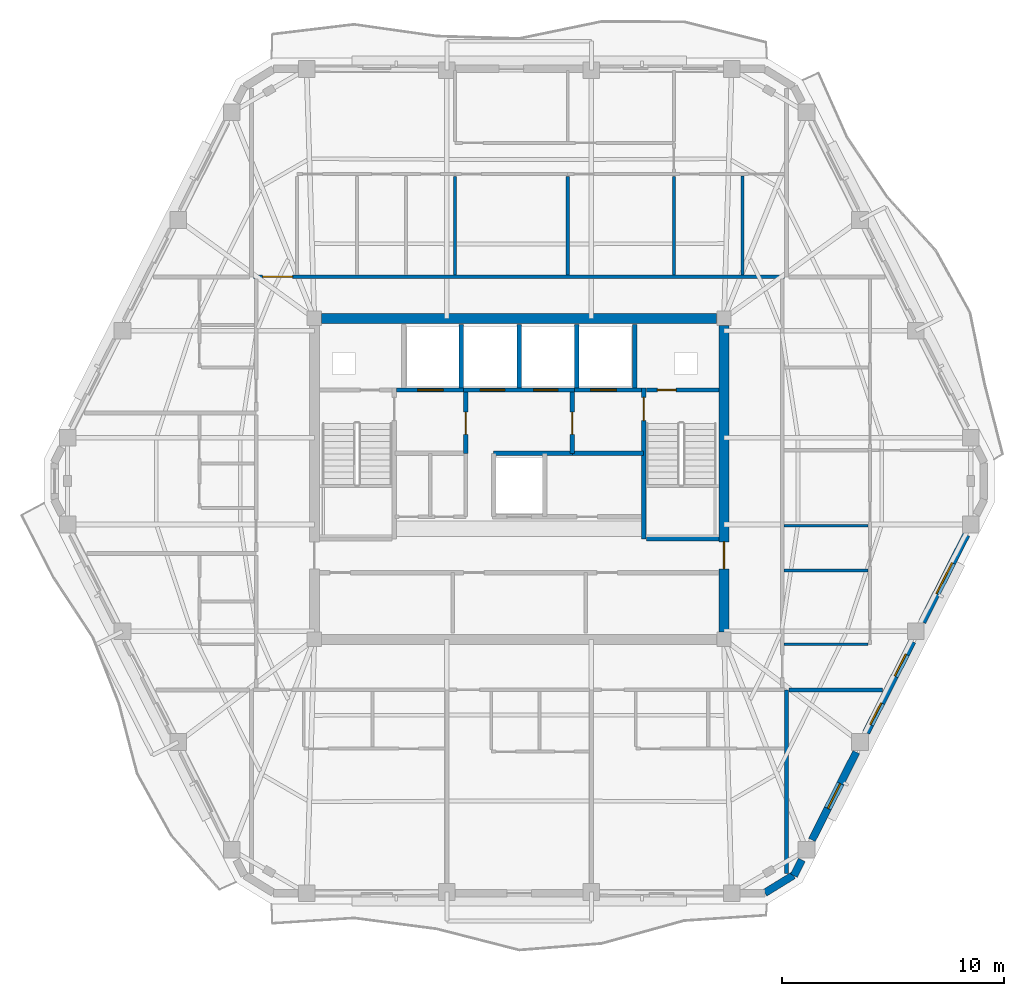
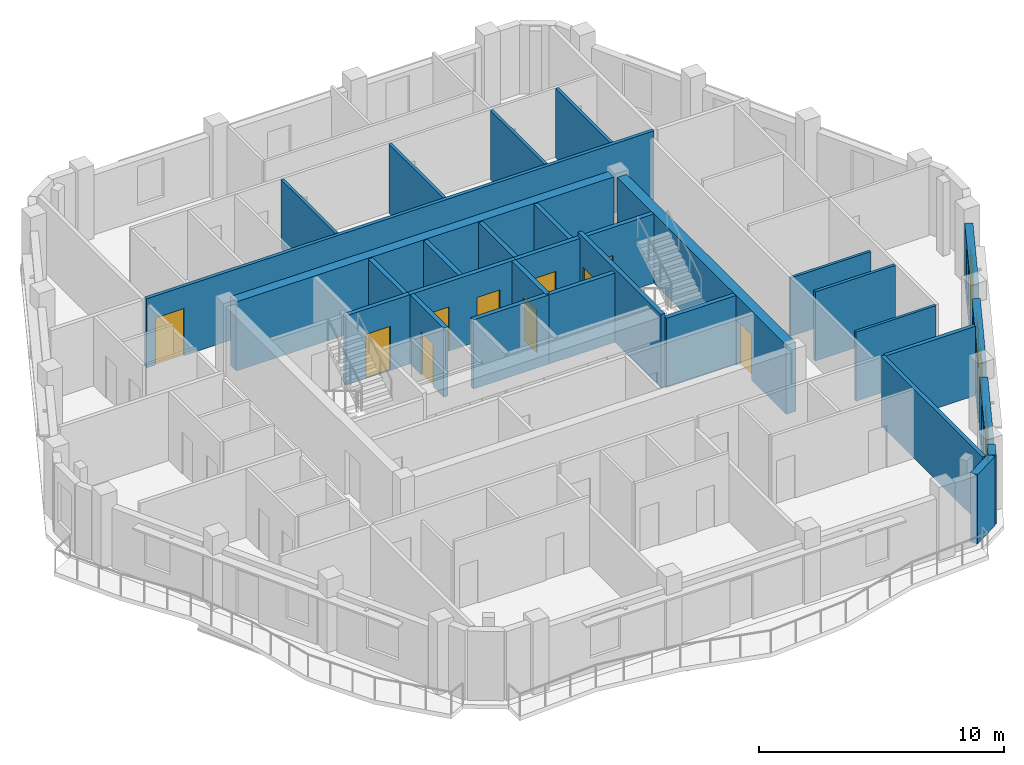
# One storey, part 6 of 11: 31 walls, 10 doors, 4 windows, 14 openings.
"""IFC4 building model written with IfcOpenShell, lengths in metres."""

from ifc_helpers import new_model, si_unit, direction, frame, frame_2d, origin, place, context, subcontext, project, spatial, rectangle, extrude, material, layer, layer_set, type_object, element, fill, save


model = new_model("IFC4")

# Units and contexts
model_context = context("Model", 3, precision=1e-05, world=origin(), true_north=direction((0.0, 1.0)))
body_context = subcontext(model_context, "Body", "Model", "MODEL_VIEW")
ifc_project = project(units=[si_unit("LENGTHUNIT", "METRE"), si_unit("AREAUNIT", "SQUARE_METRE"), si_unit("VOLUMEUNIT", "CUBIC_METRE"), si_unit("PLANEANGLEUNIT", "RADIAN"), si_unit("MASSUNIT", "GRAM", prefix="KILO")], contexts=[model_context])

# Site, building, storey
site_placement = place(None, origin())
site = spatial("IfcSite", under=ifc_project, at=site_placement, CompositionType="ELEMENT")
building_placement = place(site_placement, origin())
building = spatial("IfcBuilding", under=site, at=building_placement, Name="Cinnabar Lancet Tower", CompositionType="ELEMENT")
storey_placement = place(building_placement, frame((0.0, 0.0, 241.60009765625)))
storey = spatial("IfcBuildingStorey", under=building, at=storey_placement, Name="L64", CompositionType="ELEMENT", Elevation=241.60009765625)

# Wall, opening, door
ifc_material_1 = material(Name="Acoustic twin-stud gypsum partition", Category="gypsum")
ifc_layer_1 = layer(ifc_material_1, 0.159912109375)
ifc_layer_set_1 = layer_set([ifc_layer_1], Name="Acoustic twin-stud gypsum partition")
wall_type_1 = type_object("IfcWallType", Name="ARC-WL-CORR-160", PredefinedType="PARTITIONING", material=ifc_layer_set_1)
wall_1_placement = place(storey_placement, frame((20.445068359375, 35.0, 0.0), z_axis=(0.0, 0.0, 1.0), x_axis=(1.0, 0.0, 0.0)))
wall_1 = element("IfcWall", 1, at=wall_1_placement, inside=storey, type_object=wall_type_1, Name="L64 Unit N01 Corridor Wall", PredefinedType="PARTITIONING", context=body_context, shape_type="SweptSolid", body=[
    extrude(rectangle(XDim=23.909912109375, YDim=0.159912109375, at=frame_2d((11.955078125, 0.0))), origin(), (0.0, 0.0, 1.0), 3.449951171875),
])
opening_1_placement = place(wall_1_placement, frame((0.405029296875, 0.0, 0.0)))
opening_1 = element("IfcOpeningElement", 2, at=opening_1_placement, cuts=wall_1, Name="Opening UD-02", PredefinedType="OPENING", context=body_context, shape_type="SweptSolid", body=[
    extrude(rectangle(XDim=1.35009765625, YDim=2.35009765625, at=frame_2d((0.675048828125, 1.175048828125))), frame((0.0, 0.08984375, 0.0), z_axis=(0.0, -1.0, 0.0), x_axis=(1.0, 0.0, 0.0)), (0.0, 0.0, 1.0), 0.179931640625),
])
ifc_material_2 = material(Name="Double-leaf solid timber penthouse entrance door", Category="wood")
door_type_1 = type_object("IfcDoorType", Name="ARC-DR-UNIT-PH", OperationType="NOTDEFINED", PredefinedType="DOOR", material=ifc_material_2)
door_1_placement = place(opening_1_placement, origin())
door_1 = element("IfcDoor", 3, at=door_1_placement, inside=storey, type_object=door_type_1, Name="DR-L64-N01-ENT", OperationType="SINGLE_SWING_LEFT", OverallHeight=2.35009765625, OverallWidth=1.35009765625, PredefinedType="DOOR", context=body_context, shape_type="SweptSolid", body=[
    extrude(rectangle(XDim=1.35009765625, YDim=2.35009765625, at=frame_2d((0.675048828125, 1.175048828125))), frame((0.0, 0.02490234375, 0.0), z_axis=(0.0, -1.0, 0.0), x_axis=(1.0, 0.0, 0.0)), (0.0, 0.0, 1.0), 0.050048828125),
])
fill(opening_1, door_1)

# Walls
ifc_material_3 = material(Name="Fire-rated twin-frame acoustic drywall", Category="gypsum")
ifc_layer_2 = layer(ifc_material_3, 0.179931640625)
ifc_layer_set_2 = layer_set([ifc_layer_2], Name="Fire-rated twin-frame acoustic drywall")
wall_type_2 = type_object("IfcWallType", Name="ARC-WL-PARTY-180", PredefinedType="PARTITIONING", material=ifc_layer_set_2)
wall_2_placement = place(storey_placement, frame((44.449951171875, 8.118896484375, 0.0), z_axis=(0.0, 0.0, 1.0), x_axis=(0.0, 1.0, 0.0)))
element("IfcWall", 4, at=wall_2_placement, inside=storey, type_object=wall_type_2, Name="PW-L64-SPTY-444", PredefinedType="PARTITIONING", context=body_context, shape_type="SweptSolid", body=[
    extrude(rectangle(XDim=8.281005859375, YDim=0.179931640625, at=frame_2d((4.140625, 0.0))), origin(), (0.0, 0.0, 1.0), 3.449951171875),
])
wall_3_placement = place(storey_placement, frame((44.544921875, 16.39990234375, 0.0), z_axis=(0.0, 0.0, 1.0), x_axis=(1.0, 0.0, 0.0)))
element("IfcWall", 5, at=wall_3_placement, inside=storey, type_object=wall_type_2, Name="PW-L64-ESB", PredefinedType="PARTITIONING", context=body_context, shape_type="SweptSolid", body=[
    extrude(rectangle(XDim=4.22119140625, YDim=0.179931640625, at=frame_2d((2.110595703125, 0.0))), origin(), (0.0, 0.0, 1.0), 3.449951171875),
])
ifc_material_4 = material(Name="Autoclaved aerated concrete blockwork", Category="masonry")
ifc_layer_3 = layer(ifc_material_4, 0.199951171875)
ifc_layer_set_3 = layer_set([ifc_layer_3], Name="Autoclaved aerated concrete blockwork")
wall_type_3 = type_object("IfcWallType", Name="ARC-WL-SHAFT-200", PredefinedType="PLUMBINGWALL", material=ifc_layer_set_3)
wall_4_placement = place(storey_placement, frame((38.125, 23.199951171875, 0.0), z_axis=(0.0, 0.0, 1.0), x_axis=(1.0, 0.0, 0.0)))
element("IfcWall", 6, at=wall_4_placement, inside=storey, type_object=wall_type_3, Name="CW-ST2S-L64", PredefinedType="PLUMBINGWALL", context=body_context, shape_type="SweptSolid", body=[
    extrude(rectangle(XDim=3.27001953125, YDim=0.199951171875, at=frame_2d((1.635009765625, 0.0))), origin(), (0.0, 0.0, 1.0), 3.449951171875),
])

# Wall, opening, door
wall_5_placement = place(storey_placement, frame((26.885009765625, 29.89990234375, 0.0), z_axis=(0.0, 0.0, 1.0), x_axis=(1.0, 0.0, 0.0)))
wall_5 = element("IfcWall", 7, at=wall_5_placement, inside=storey, type_object=wall_type_3, Name="CW-FL1-L64", PredefinedType="PLUMBINGWALL", context=body_context, shape_type="SweptSolid", body=[
    extrude(rectangle(XDim=3.014892578125, YDim=0.199951171875, at=frame_2d((1.50732421875, 0.0))), origin(), (0.0, 0.0, 1.0), 3.449951171875),
])
opening_2_placement = place(wall_5_placement, frame((0.93994140625, 0.0, 0.0)))
opening_2 = element("IfcOpeningElement", 8, at=opening_2_placement, cuts=wall_5, Name="Opening LD-02", PredefinedType="OPENING", context=body_context, shape_type="SweptSolid", body=[
    extrude(rectangle(XDim=1.14990234375, YDim=2.199951171875, at=frame_2d((0.574951171875, 1.10009765625))), frame((0.0, 0.10986328125, 0.0), z_axis=(0.0, -1.0, 0.0), x_axis=(1.0, 0.0, 0.0)), (0.0, 0.0, 1.0), 0.219970703125),
])
ifc_material_5 = material(Name="Fire-rated stainless steel firefighting lift landing door", Category="steel")
door_type_2 = type_object("IfcDoorType", Name="ARC-DR-LD-FIRE", OperationType="NOTDEFINED", PredefinedType="DOOR", material=ifc_material_5)
door_2_placement = place(opening_2_placement, origin())
door_2 = element("IfcDoor", 9, at=door_2_placement, inside=storey, type_object=door_type_2, Name="L64 Firefighting Lift FL-1 Landing Door", OperationType="DOUBLE_DOOR_SLIDING", OverallHeight=2.199951171875, OverallWidth=1.14990234375, PredefinedType="DOOR", context=body_context, shape_type="SweptSolid", body=[
    extrude(rectangle(XDim=1.14990234375, YDim=2.199951171875, at=frame_2d((0.574951171875, 1.10009765625))), frame((0.0, 0.02490234375, 0.0), z_axis=(0.0, -1.0, 0.0), x_axis=(1.0, 0.0, 0.0)), (0.0, 0.0, 1.0), 0.050048828125),
])
fill(opening_2, door_2)

# Wall, openings, doors
wall_6_placement = place(storey_placement, frame((29.89990234375, 29.89990234375, 0.0), z_axis=(0.0, 0.0, 1.0), x_axis=(1.0, 0.0, 0.0)))
wall_6 = element("IfcWall", 10, at=wall_6_placement, inside=storey, type_object=wall_type_3, Name="CW-PL78-L64", PredefinedType="PLUMBINGWALL", context=body_context, shape_type="SweptSolid", body=[
    extrude(rectangle(XDim=5.0, YDim=0.199951171875, at=frame_2d((2.5, 0.0))), origin(), (0.0, 0.0, 1.0), 3.449951171875),
])
opening_3_placement = place(wall_6_placement, frame((0.75, 0.0, 0.0)))
opening_3 = element("IfcOpeningElement", 11, at=opening_3_placement, cuts=wall_6, Name="Opening LD-01", PredefinedType="OPENING", context=body_context, shape_type="SweptSolid", body=[
    extrude(rectangle(XDim=1.10009765625, YDim=2.199951171875, at=frame_2d((0.550048828125, 1.10009765625))), frame((0.0, 0.10986328125, 0.0), z_axis=(0.0, -1.0, 0.0), x_axis=(1.0, 0.0, 0.0)), (0.0, 0.0, 1.0), 0.219970703125),
])
opening_4_placement = place(wall_6_placement, frame((3.14990234375, 0.0, 0.0)))
opening_4 = element("IfcOpeningElement", 12, at=opening_4_placement, cuts=wall_6, Name="Opening LD-01", PredefinedType="OPENING", context=body_context, shape_type="SweptSolid", body=[
    extrude(rectangle(XDim=1.10009765625, YDim=2.199951171875, at=frame_2d((0.550048828125, 1.10009765625))), frame((0.0, 0.10986328125, 0.0), z_axis=(0.0, -1.0, 0.0), x_axis=(1.0, 0.0, 0.0)), (0.0, 0.0, 1.0), 0.219970703125),
])
ifc_material_6 = material(Name="Brushed stainless steel sliding lift door", Category="steel")
door_type_3 = type_object("IfcDoorType", Name="ARC-DR-LD-PASS", OperationType="NOTDEFINED", PredefinedType="DOOR", material=ifc_material_6)
door_3_placement = place(opening_3_placement, origin())
door_3 = element("IfcDoor", 13, at=door_3_placement, inside=storey, type_object=door_type_3, Name="L64 Lift PL-7 Landing Door", OperationType="DOUBLE_DOOR_SLIDING", OverallHeight=2.199951171875, OverallWidth=1.10009765625, PredefinedType="DOOR", context=body_context, shape_type="SweptSolid", body=[
    extrude(rectangle(XDim=1.10009765625, YDim=2.199951171875, at=frame_2d((0.550048828125, 1.10009765625))), frame((0.0, 0.02490234375, 0.0), z_axis=(0.0, -1.0, 0.0), x_axis=(1.0, 0.0, 0.0)), (0.0, 0.0, 1.0), 0.050048828125),
])
fill(opening_3, door_3)
door_4_placement = place(opening_4_placement, origin())
door_4 = element("IfcDoor", 14, at=door_4_placement, inside=storey, type_object=door_type_3, Name="L64 Lift PL-8 Landing Door", OperationType="DOUBLE_DOOR_SLIDING", OverallHeight=2.199951171875, OverallWidth=1.10009765625, PredefinedType="DOOR", context=body_context, shape_type="SweptSolid", body=[
    extrude(rectangle(XDim=1.10009765625, YDim=2.199951171875, at=frame_2d((0.550048828125, 1.10009765625))), frame((0.0, 0.02490234375, 0.0), z_axis=(0.0, -1.0, 0.0), x_axis=(1.0, 0.0, 0.0)), (0.0, 0.0, 1.0), 0.050048828125),
])
fill(opening_4, door_4)

# Wall, opening, door
wall_7_placement = place(storey_placement, frame((34.89990234375, 29.89990234375, 0.0), z_axis=(0.0, 0.0, 1.0), x_axis=(1.0, 0.0, 0.0)))
wall_7 = element("IfcWall", 15, at=wall_7_placement, inside=storey, type_object=wall_type_3, Name="CW-FL2-L64", PredefinedType="PLUMBINGWALL", context=body_context, shape_type="SweptSolid", body=[
    extrude(rectangle(XDim=3.01513671875, YDim=0.199951171875, at=frame_2d((1.507568359375, 0.0))), origin(), (0.0, 0.0, 1.0), 3.449951171875),
])
opening_5_placement = place(wall_7_placement, frame((0.72509765625, 0.0, 0.0)))
opening_5 = element("IfcOpeningElement", 16, at=opening_5_placement, cuts=wall_7, Name="Opening LD-02", PredefinedType="OPENING", context=body_context, shape_type="SweptSolid", body=[
    extrude(rectangle(XDim=1.14990234375, YDim=2.199951171875, at=frame_2d((0.574951171875, 1.10009765625))), frame((0.0, 0.10986328125, 0.0), z_axis=(0.0, -1.0, 0.0), x_axis=(1.0, 0.0, 0.0)), (0.0, 0.0, 1.0), 0.219970703125),
])
door_5_placement = place(opening_5_placement, origin())
door_5 = element("IfcDoor", 17, at=door_5_placement, inside=storey, type_object=door_type_2, Name="L64 Firefighting Lift FL-2 Landing Door", OperationType="DOUBLE_DOOR_SLIDING", OverallHeight=2.199951171875, OverallWidth=1.14990234375, PredefinedType="DOOR", context=body_context, shape_type="SweptSolid", body=[
    extrude(rectangle(XDim=1.14990234375, YDim=2.199951171875, at=frame_2d((0.574951171875, 1.10009765625))), frame((0.0, 0.02490234375, 0.0), z_axis=(0.0, -1.0, 0.0), x_axis=(1.0, 0.0, 0.0)), (0.0, 0.0, 1.0), 0.050048828125),
])
fill(opening_5, door_5)

wall_8_placement = place(storey_placement, frame((38.125, 29.89990234375, 0.0), z_axis=(0.0, 0.0, 1.0), x_axis=(1.0, 0.0, 0.0)))
wall_8 = element("IfcWall", 18, at=wall_8_placement, inside=storey, type_object=wall_type_3, Name="CW-NSH-E-L64", PredefinedType="PLUMBINGWALL", context=body_context, shape_type="SweptSolid", body=[
    extrude(rectangle(XDim=3.27001953125, YDim=0.199951171875, at=frame_2d((1.635009765625, 0.0))), origin(), (0.0, 0.0, 1.0), 3.449951171875),
])
opening_6_placement = place(wall_8_placement, frame((0.5, 0.0, 0.0)))
opening_6 = element("IfcOpeningElement", 19, at=opening_6_placement, cuts=wall_8, Name="Opening PD-02", PredefinedType="OPENING", context=body_context, shape_type="SweptSolid", body=[
    extrude(rectangle(XDim=0.85009765625, YDim=2.050048828125, at=frame_2d((0.425048828125, 1.02490234375))), frame((0.0, 0.10986328125, 0.0), z_axis=(0.0, -1.0, 0.0), x_axis=(1.0, 0.0, 0.0)), (0.0, 0.0, 1.0), 0.219970703125),
])
ifc_material_7 = material(Name="Fire-rated steel riser access door", Category="steel")
door_type_4 = type_object("IfcDoorType", Name="ARC-DR-RISER", OperationType="NOTDEFINED", PredefinedType="DOOR", material=ifc_material_7)
door_6_placement = place(opening_6_placement, origin())
door_6 = element("IfcDoor", 20, at=door_6_placement, inside=storey, type_object=door_type_4, Name="L64 East Riser Access Door", OperationType="SINGLE_SWING_RIGHT", OverallHeight=2.050048828125, OverallWidth=0.85009765625, PredefinedType="DOOR", context=body_context, shape_type="SweptSolid", body=[
    extrude(rectangle(XDim=0.85009765625, YDim=2.050048828125, at=frame_2d((0.425048828125, 1.02490234375))), frame((0.0, 0.02490234375, 0.0), z_axis=(0.0, -1.0, 0.0), x_axis=(1.0, 0.0, 0.0)), (0.0, 0.0, 1.0), 0.050048828125),
])
fill(opening_6, door_6)

# Walls
for number, where, z_axis, x_axis, name in (
    (21, (29.800048828125, 30.0, 0.0), (0.0, 0.0, 1.0), (0.0, 1.0, 0.0), "CW-NSH-D2-L64"),
    (22, (32.39990234375, 30.0, 0.0), (0.0, 0.0, 1.0), (0.0, 1.0, 0.0), "CW-NSH-D3-L64"),
    (23, (35.0, 30.0, 0.0), (0.0, 0.0, 1.0), (0.0, 1.0, 0.0), "CW-NSH-D4-L64"),
    (24, (37.60009765625, 30.0, 0.0), (0.0, 0.0, 1.0), (0.0, 1.0, 0.0), "CW-NSH-D5-L64"),
):
    element("IfcWall", number, at=place(storey_placement, frame(where, z_axis=z_axis, x_axis=x_axis)), inside=storey, type_object=wall_type_3, Name=name, PredefinedType="PLUMBINGWALL", context=body_context, shape_type="SweptSolid", body=[
        extrude(rectangle(XDim=2.85009765625, YDim=0.199951171875, at=frame_2d((1.425048828125, 0.0))), origin(), (0.0, 0.0, 1.0), 3.449951171875),
    ])

# Wall, opening, door
wall_9_placement = place(storey_placement, frame((30.0, 27.050048828125, 0.0), z_axis=(0.0, 0.0, 1.0), x_axis=(0.0, 1.0, 0.0)))
wall_9 = element("IfcWall", 25, at=wall_9_placement, inside=storey, type_object=wall_type_3, Name="CW-FF1E-L64", PredefinedType="PLUMBINGWALL", context=body_context, shape_type="SweptSolid", body=[
    extrude(rectangle(XDim=2.75, YDim=0.199951171875, at=frame_2d((1.375, 0.0))), origin(), (0.0, 0.0, 1.0), 3.449951171875),
])
opening_7_placement = place(wall_9_placement, frame((0.85009765625, 0.0, 0.0)))
opening_7 = element("IfcOpeningElement", 26, at=opening_7_placement, cuts=wall_9, Name="Opening FD-01", PredefinedType="OPENING", context=body_context, shape_type="SweptSolid", body=[
    extrude(rectangle(XDim=1.0, YDim=2.14990234375, at=frame_2d((0.5, 1.074951171875))), frame((0.0, 0.10986328125, 0.0), z_axis=(0.0, -1.0, 0.0), x_axis=(1.0, 0.0, 0.0)), (0.0, 0.0, 1.0), 0.219970703125),
])
ifc_material_8 = material(Name="Fire-rated timber-core lobby door", Category="wood")
door_type_5 = type_object("IfcDoorType", Name="ARC-DR-FFAL", OperationType="NOTDEFINED", PredefinedType="DOOR", material=ifc_material_8)
door_7_placement = place(opening_7_placement, origin())
door_7 = element("IfcDoor", 27, at=door_7_placement, inside=storey, type_object=door_type_5, Name="L64 FFAL-1 Lobby Fire Door", OperationType="SINGLE_SWING_RIGHT", OverallHeight=2.14990234375, OverallWidth=1.0, PredefinedType="DOOR", context=body_context, shape_type="SweptSolid", body=[
    extrude(rectangle(XDim=1.0, YDim=2.14990234375, at=frame_2d((0.5, 1.074951171875))), frame((0.0, 0.02490234375, 0.0), z_axis=(0.0, -1.0, 0.0), x_axis=(1.0, 0.0, 0.0)), (0.0, 0.0, 1.0), 0.050048828125),
])
fill(opening_7, door_7)

wall_10_placement = place(storey_placement, frame((34.800048828125, 27.050048828125, 0.0), z_axis=(0.0, 0.0, 1.0), x_axis=(0.0, 1.0, 0.0)))
wall_10 = element("IfcWall", 28, at=wall_10_placement, inside=storey, type_object=wall_type_3, Name="CW-FF2W-L64", PredefinedType="PLUMBINGWALL", context=body_context, shape_type="SweptSolid", body=[
    extrude(rectangle(XDim=2.75, YDim=0.199951171875, at=frame_2d((1.375, 0.0))), origin(), (0.0, 0.0, 1.0), 3.449951171875),
])
opening_8_placement = place(wall_10_placement, frame((0.85009765625, 0.0, 0.0)))
opening_8 = element("IfcOpeningElement", 29, at=opening_8_placement, cuts=wall_10, Name="Opening FD-01", PredefinedType="OPENING", context=body_context, shape_type="SweptSolid", body=[
    extrude(rectangle(XDim=1.0, YDim=2.14990234375, at=frame_2d((0.5, 1.074951171875))), frame((0.0, 0.10986328125, 0.0), z_axis=(0.0, -1.0, 0.0), x_axis=(1.0, 0.0, 0.0)), (0.0, 0.0, 1.0), 0.219970703125),
])
door_8_placement = place(opening_8_placement, origin())
door_8 = element("IfcDoor", 30, at=door_8_placement, inside=storey, type_object=door_type_5, Name="L64 FFAL-2 Lobby Fire Door", OperationType="SINGLE_SWING_LEFT", OverallHeight=2.14990234375, OverallWidth=1.0, PredefinedType="DOOR", context=body_context, shape_type="SweptSolid", body=[
    extrude(rectangle(XDim=1.0, YDim=2.14990234375, at=frame_2d((0.5, 1.074951171875))), frame((0.0, 0.02490234375, 0.0), z_axis=(0.0, -1.0, 0.0), x_axis=(1.0, 0.0, 0.0)), (0.0, 0.0, 1.0), 0.050048828125),
])
fill(opening_8, door_8)

# Walls
wall_11_placement = place(storey_placement, frame((34.800048828125, 27.050048828125, 0.0), z_axis=(0.0, 0.0, 1.0), x_axis=(1.0, 0.0, 0.0)))
element("IfcWall", 31, at=wall_11_placement, inside=storey, type_object=wall_type_3, Name="CW-FF2S-L64", PredefinedType="PLUMBINGWALL", context=body_context, shape_type="SweptSolid", body=[
    extrude(rectangle(XDim=3.199951171875, YDim=0.199951171875, at=frame_2d((1.60009765625, 0.0))), origin(), (0.0, 0.0, 1.0), 3.449951171875),
])
wall_12_placement = place(storey_placement, frame((31.25, 27.050048828125, 0.0), z_axis=(0.0, 0.0, 1.0), x_axis=(1.0, 0.0, 0.0)))
element("IfcWall", 32, at=wall_12_placement, inside=storey, type_object=wall_type_3, Name="CW-PL96N-L64", PredefinedType="PLUMBINGWALL", context=body_context, shape_type="SweptSolid", body=[
    extrude(rectangle(XDim=3.550048828125, YDim=0.199951171875, at=frame_2d((1.77490234375, 0.0))), origin(), (0.0, 0.0, 1.0), 3.449951171875),
])
ifc_material_9 = material(Name="Gypsum plasterboard stud partition", Category="gypsum")
ifc_layer_4 = layer(ifc_material_9, 0.125)
ifc_layer_set_4 = layer_set([ifc_layer_4], Name="Gypsum plasterboard stud partition")
wall_type_4 = type_object("IfcWallType", Name="ARC-WL-UNIT-125", PredefinedType="PARTITIONING", material=ifc_layer_set_4)
wall_13_placement = place(storey_placement, frame((44.3349609375, 18.449951171875, 0.0), z_axis=(0.0, 0.0, 1.0), x_axis=(1.0, 0.0, 0.0)))
element("IfcWall", 33, at=wall_13_placement, inside=storey, type_object=wall_type_4, Name="UW-L64-E01-FOYN", PredefinedType="PARTITIONING", context=body_context, shape_type="SweptSolid", body=[
    extrude(rectangle(XDim=3.780029296875, YDim=0.125, at=frame_2d((1.89013671875, 0.0))), origin(), (0.0, 0.0, 1.0), 3.449951171875),
])
wall_14_placement = place(storey_placement, frame((44.3349609375, 23.7880859375, 0.0), z_axis=(0.0, 0.0, 1.0), x_axis=(1.0, 0.0, 0.0)))
element("IfcWall", 34, at=wall_14_placement, inside=storey, type_object=wall_type_4, Name="UW-L64-E01-UDV", PredefinedType="PARTITIONING", context=body_context, shape_type="SweptSolid", body=[
    extrude(rectangle(XDim=3.780029296875, YDim=0.125, at=frame_2d((1.89013671875, 0.0))), origin(), (0.0, 0.0, 1.0), 2.906982421875),
])
ifc_material_10 = material(Name="Moisture-resistant cement-board plumbing wall", Category="masonry")
ifc_layer_5 = layer(ifc_material_10, 0.139892578125)
ifc_layer_set_5 = layer_set([ifc_layer_5], Name="Moisture-resistant cement-board plumbing wall")
wall_type_5 = type_object("IfcWallType", Name="ARC-WL-WET-140", PredefinedType="PLUMBINGWALL", material=ifc_layer_set_5)
for number, where, z_axis, x_axis, name in (
    (35, (29.508056640625, 35.0849609375, 0.0), (0.0, 0.0, 1.0), (0.0, 1.0, 0.0), "UW-L64-N01-ENSW"),
    (36, (34.587890625, 35.0849609375, 0.0), (0.0, 0.0, 1.0), (0.0, 1.0, 0.0), "UW-L64-N01-ENSE"),
    (37, (39.3701171875, 35.0849609375, 0.0), (0.0, 0.0, 1.0), (0.0, 1.0, 0.0), "UW-L64-N01-UT3"),
):
    element("IfcWall", number, at=place(storey_placement, frame(where, z_axis=z_axis, x_axis=x_axis)), inside=storey, type_object=wall_type_5, Name=name, PredefinedType="PLUMBINGWALL", context=body_context, shape_type="SweptSolid", body=[
        extrude(rectangle(XDim=4.43896484375, YDim=0.139892578125, at=frame_2d((2.219482421875, 0.0))), origin(), (0.0, 0.0, 1.0), 3.449951171875),
    ])
wall_15_placement = place(storey_placement, frame((42.4580078125, 35.0849609375, 0.0), z_axis=(0.0, 0.0, 1.0), x_axis=(0.0, 1.0, 0.0)))
element("IfcWall", 38, at=wall_15_placement, inside=storey, type_object=wall_type_5, Name="UW-L64-N01-ENS-WDV", PredefinedType="PLUMBINGWALL", context=body_context, shape_type="SweptSolid", body=[
    extrude(rectangle(XDim=4.458984375, YDim=0.139892578125, at=frame_2d((2.2294921875, 0.0))), origin(), (0.0, 0.0, 1.0), 3.449951171875),
])
wall_16_placement = place(storey_placement, frame((44.3349609375, 21.77001953125, 0.0), z_axis=(0.0, 0.0, 1.0), x_axis=(1.0, 0.0, 0.0)))
element("IfcWall", 39, at=wall_16_placement, inside=storey, type_object=wall_type_5, Name="UW-L64-E01-KDV", PredefinedType="PLUMBINGWALL", context=body_context, shape_type="SweptSolid", body=[
    extrude(rectangle(XDim=3.780029296875, YDim=0.139892578125, at=frame_2d((1.89013671875, 0.0))), origin(), (0.0, 0.0, 1.0), 3.449951171875),
])
ifc_material_11 = material(Name="Cinnabar red clay brick", Category="masonry")
ifc_layer_6 = layer(ifc_material_11, 0.340087890625)
ifc_layer_set_6 = layer_set([ifc_layer_6], Name="Cinnabar red clay brick")
wall_type_6 = type_object("IfcWallType", Name="ENV-WL-BRK-RED-340", PredefinedType="STANDARD", material=ifc_layer_set_6)
wall_17_placement = place(storey_placement, frame((43.468994140625, 7.2548828125, 0.0), z_axis=(0.0, 0.0, 1.0), x_axis=(0.851680557619, 0.52406128246, 0.0)))
element("IfcWall", 40, at=wall_17_placement, inside=storey, type_object=wall_type_6, Name="L64 Chamfered Corner Brick Pier 2.1", PredefinedType="STANDARD", context=body_context, shape_type="SweptSolid", body=[
    extrude(rectangle(XDim=1.507568359375, YDim=0.340087890625, at=frame_2d((0.75390625, 0.0))), origin(), (0.0, 0.0, 1.0), 3.449951171875),
])
wall_18_placement = place(storey_placement, frame((44.77294921875, 8.029052734375, 0.0), z_axis=(0.0, 0.0, 1.0), x_axis=(0.451159191899, 0.892443490404, 0.0)))
element("IfcWall", 41, at=wall_18_placement, inside=storey, type_object=wall_type_6, Name="L64 Face 2 Masonry Bay Wall 1", PredefinedType="STANDARD", context=body_context, shape_type="SweptSolid", body=[
    extrude(rectangle(XDim=0.791259765625, YDim=0.340087890625, at=frame_2d((0.3955078125, 0.0))), origin(), (0.0, 0.0, 1.0), 3.449951171875),
])

# Wall, opening, window
wall_19_placement = place(storey_placement, frame((45.5859375, 9.636962890625, 0.0), z_axis=(0.0, 0.0, 1.0), x_axis=(0.451440846853, 0.892301048858, 0.0)))
wall_19 = element("IfcWall", 42, at=wall_19_placement, inside=storey, type_object=wall_type_6, Name="L64 Face 2 Masonry Bay Wall 2", PredefinedType="STANDARD", context=body_context, shape_type="SweptSolid", body=[
    extrude(rectangle(XDim=4.43017578125, YDim=0.340087890625, at=frame_2d((2.215087890625, 0.0))), origin(), (0.0, 0.0, 1.0), 2.98291015625),
])
opening_9_placement = place(wall_19_placement, frame((1.590087890625, 0.0, 0.75)))
opening_9 = element("IfcOpeningElement", 43, at=opening_9_placement, cuts=wall_19, Name="Opening WN-03", PredefinedType="OPENING", context=body_context, shape_type="SweptSolid", body=[
    extrude(rectangle(XDim=1.25, YDim=1.949951171875, at=frame_2d((0.625, 0.97509765625))), frame((0.0, 0.179931640625, 0.0), z_axis=(0.0, -1.0, 0.0), x_axis=(1.0, 0.0, 0.0)), (0.0, 0.0, 1.0), 0.360107421875),
])
ifc_material_12 = material(Name="Thermally broken bronze-anodized aluminium low-E double glazing", Category="aluminium")
window_type_1 = type_object("IfcWindowType", Name="ENV-WN-LANCET-1250", PartitioningType="SINGLE_PANEL", PredefinedType="WINDOW", material=ifc_material_12)
window_1_placement = place(opening_9_placement, origin())
window_1 = element("IfcWindow", 44, at=window_1_placement, inside=storey, type_object=window_type_1, Name="L64 Face 2 Gothic Lancet Window 2", OverallHeight=1.949951171875, OverallWidth=1.25, PartitioningType="SINGLE_PANEL", PredefinedType="WINDOW", context=body_context, shape_type="SweptSolid", body=[
    extrude(rectangle(XDim=1.25, YDim=1.949951171875, at=frame_2d((0.625, 0.97509765625))), frame((0.0, 0.030029296875, 0.0), z_axis=(0.0, -1.0, 0.0), x_axis=(1.0, 0.0, 0.0)), (0.0, 0.0, 1.0), 0.06005859375),
])
fill(opening_9, window_1)

# Wall, openings, windows
wall_20_placement = place(storey_placement, frame((48.031982421875, 14.472900390625, 0.0), z_axis=(0.0, 0.0, 1.0), x_axis=(0.451539564999, 0.892251097641, 0.0)))
wall_20 = element("IfcWall", 45, at=wall_20_placement, inside=storey, type_object=wall_type_6, Name="L64 Face 2 Masonry Bay Wall 3", PredefinedType="STANDARD", context=body_context, shape_type="SweptSolid", body=[
    extrude(rectangle(XDim=4.599609375, YDim=0.340087890625, at=frame_2d((2.2998046875, 0.0))), origin(), (0.0, 0.0, 1.0), 2.98291015625),
])
opening_10_placement = place(wall_20_placement, frame((0.39990234375, 0.0, 0.75)))
opening_10 = element("IfcOpeningElement", 46, at=opening_10_placement, cuts=wall_20, Name="Opening WN-04", PredefinedType="OPENING", context=body_context, shape_type="SweptSolid", body=[
    extrude(rectangle(XDim=1.10009765625, YDim=2.0, at=frame_2d((0.550048828125, 1.0))), frame((0.0, 0.179931640625, 0.0), z_axis=(0.0, -1.0, 0.0), x_axis=(1.0, 0.0, 0.0)), (0.0, 0.0, 1.0), 0.360107421875),
])
opening_11_placement = place(wall_20_placement, frame((2.85107421875, 0.0, 0.75)))
opening_11 = element("IfcOpeningElement", 47, at=opening_11_placement, cuts=wall_20, Name="Opening WN-04", PredefinedType="OPENING", context=body_context, shape_type="SweptSolid", body=[
    extrude(rectangle(XDim=1.10009765625, YDim=2.0, at=frame_2d((0.550048828125, 1.0))), frame((0.0, 0.179931640625, 0.0), z_axis=(0.0, -1.0, 0.0), x_axis=(1.0, 0.0, 0.0)), (0.0, 0.0, 1.0), 0.360107421875),
])
ifc_material_13 = material(Name="Thermally broken bronze-anodized aluminium tall lancet window", Category="aluminium")
window_type_2 = type_object("IfcWindowType", Name="ENV-WN-LANCET-1100", PartitioningType="SINGLE_PANEL", PredefinedType="WINDOW", material=ifc_material_13)
window_2_placement = place(opening_10_placement, origin())
window_2 = element("IfcWindow", 48, at=window_2_placement, inside=storey, type_object=window_type_2, Name="L64 Face 2 Gothic Lancet Window 3", OverallHeight=2.0, OverallWidth=1.10009765625, PartitioningType="SINGLE_PANEL", PredefinedType="WINDOW", context=body_context, shape_type="SweptSolid", body=[
    extrude(rectangle(XDim=1.10009765625, YDim=2.0, at=frame_2d((0.550048828125, 1.0))), frame((0.0, 0.030029296875, 0.0), z_axis=(0.0, -1.0, 0.0), x_axis=(1.0, 0.0, 0.0)), (0.0, 0.0, 1.0), 0.06005859375),
])
fill(opening_10, window_2)
window_3_placement = place(opening_11_placement, origin())
window_3 = element("IfcWindow", 49, at=window_3_placement, inside=storey, type_object=window_type_2, Name="L64 Split-Bay Gothic Lancet Window 223", OverallHeight=2.0, OverallWidth=1.10009765625, PartitioningType="SINGLE_PANEL", PredefinedType="WINDOW", context=body_context, shape_type="SweptSolid", body=[
    extrude(rectangle(XDim=1.10009765625, YDim=2.0, at=frame_2d((0.550048828125, 1.0))), frame((0.0, 0.030029296875, 0.0), z_axis=(0.0, -1.0, 0.0), x_axis=(1.0, 0.0, 0.0)), (0.0, 0.0, 1.0), 0.06005859375),
])
fill(opening_11, window_3)

# Wall, opening, window
wall_21_placement = place(storey_placement, frame((50.553955078125, 19.4560546875, 0.0), z_axis=(0.0, 0.0, 1.0), x_axis=(0.45130817501, 0.892368158984, 0.0)))
wall_21 = element("IfcWall", 50, at=wall_21_placement, inside=storey, type_object=wall_type_6, Name="L64 Face 2 Masonry Bay Wall 4", PredefinedType="STANDARD", context=body_context, shape_type="SweptSolid", body=[
    extrude(rectangle(XDim=4.4072265625, YDim=0.340087890625, at=frame_2d((2.20361328125, 0.0))), origin(), (0.0, 0.0, 1.0), 2.98291015625),
])
opening_12_placement = place(wall_21_placement, frame((1.428955078125, 0.0, 0.75)))
opening_12 = element("IfcOpeningElement", 51, at=opening_12_placement, cuts=wall_21, Name="Opening WN-01", PredefinedType="OPENING", context=body_context, shape_type="SweptSolid", body=[
    extrude(rectangle(XDim=1.550048828125, YDim=2.050048828125, at=frame_2d((0.77490234375, 1.02490234375))), frame((0.0, 0.179931640625, 0.0), z_axis=(0.0, -1.0, 0.0), x_axis=(1.0, 0.0, 0.0)), (0.0, 0.0, 1.0), 0.360107421875),
])
ifc_material_14 = material(Name="Thermally broken bronze-anodized aluminium low-E double glazing", Category="aluminium")
window_type_3 = type_object("IfcWindowType", Name="ENV-WN-LANCET-1550", PartitioningType="SINGLE_PANEL", PredefinedType="WINDOW", material=ifc_material_14)
window_4_placement = place(opening_12_placement, origin())
window_4 = element("IfcWindow", 52, at=window_4_placement, inside=storey, type_object=window_type_3, Name="L64 Face 2 Gothic Lancet Window 4", OverallHeight=2.050048828125, OverallWidth=1.550048828125, PartitioningType="SINGLE_PANEL", PredefinedType="WINDOW", context=body_context, shape_type="SweptSolid", body=[
    extrude(rectangle(XDim=1.550048828125, YDim=2.050048828125, at=frame_2d((0.77490234375, 1.02490234375))), frame((0.0, 0.030029296875, 0.0), z_axis=(0.0, -1.0, 0.0), x_axis=(1.0, 0.0, 0.0)), (0.0, 0.0, 1.0), 0.06005859375),
])
fill(opening_12, window_4)

# Wall
ifc_material_15 = material(Name="Concrete C50/60", Category="concrete")
ifc_layer_7 = layer(ifc_material_15, 0.449951171875)
ifc_layer_set_7 = layer_set([ifc_layer_7], Name="Concrete C50/60")
wall_type_7 = type_object("IfcWallType", Name="STR-WL-CORE-450", PredefinedType="SHEAR", material=ifc_layer_set_7)
wall_22_placement = place(storey_placement, frame((23.5, 33.125, 0.0), z_axis=(0.0, 0.0, 1.0), x_axis=(1.0, 0.0, 0.0)))
element("IfcWall", 53, at=wall_22_placement, inside=storey, type_object=wall_type_7, Name="L64 Core Shear Wall N", PredefinedType="SHEAR", context=body_context, shape_type="SweptSolid", body=[
    extrude(rectangle(XDim=17.800048828125, YDim=0.449951171875, at=frame_2d((8.89990234375, 0.0))), origin(), (0.0, 0.0, 1.0), 3.449951171875),
])

# Wall, opening, door
wall_23_placement = place(storey_placement, frame((41.625, 19.0, 0.0), z_axis=(0.0, 0.0, 1.0), x_axis=(0.0, 1.0, 0.0)))
wall_23 = element("IfcWall", 54, at=wall_23_placement, inside=storey, type_object=wall_type_7, Name="L64 Core Shear Wall E", PredefinedType="SHEAR", context=body_context, shape_type="SweptSolid", body=[
    extrude(rectangle(XDim=13.800048828125, YDim=0.449951171875, at=frame_2d((6.89990234375, 0.0))), origin(), (0.0, 0.0, 1.0), 3.449951171875),
])
opening_13_placement = place(wall_23_placement, frame((2.840087890625, 0.0, 0.0)))
opening_13 = element("IfcOpeningElement", 55, at=opening_13_placement, cuts=wall_23, Name="Opening FD-02", PredefinedType="OPENING", context=body_context, shape_type="SweptSolid", body=[
    extrude(rectangle(XDim=1.219970703125, YDim=2.25, at=frame_2d((0.60986328125, 1.125))), frame((0.0, 0.23486328125, 0.0), z_axis=(0.0, -1.0, 0.0), x_axis=(1.0, 0.0, 0.0)), (0.0, 0.0, 1.0), 0.469970703125),
])
ifc_material_16 = material(Name="Fire-rated double-vision core portal door", Category="wood")
door_type_6 = type_object("IfcDoorType", Name="ARC-DR-CPORT", OperationType="NOTDEFINED", PredefinedType="DOOR", material=ifc_material_16)
door_9_placement = place(opening_13_placement, origin())
door_9 = element("IfcDoor", 56, at=door_9_placement, inside=storey, type_object=door_type_6, Name="L64 East Core Lobby Fire Door", OperationType="SINGLE_SWING_LEFT", OverallHeight=2.25, OverallWidth=1.219970703125, PredefinedType="DOOR", context=body_context, shape_type="SweptSolid", body=[
    extrude(rectangle(XDim=1.219970703125, YDim=2.25, at=frame_2d((0.60986328125, 1.125))), frame((0.0, 0.02490234375, 0.0), z_axis=(0.0, -1.0, 0.0), x_axis=(1.0, 0.0, 0.0)), (0.0, 0.0, 1.0), 0.050048828125),
])
fill(opening_13, door_9)

ifc_material_17 = material(Name="Concrete C50/60", Category="concrete")
ifc_layer_8 = layer(ifc_material_17, 0.199951171875)
ifc_layer_set_8 = layer_set([ifc_layer_8], Name="Concrete C50/60")
wall_type_8 = type_object("IfcWallType", Name="STR-WL-STAIR-200", PredefinedType="SHEAR", material=ifc_layer_set_8)
wall_24_placement = place(storey_placement, frame((38.02001953125, 23.199951171875, 0.0), z_axis=(0.0, 0.0, 1.0), x_axis=(0.0, 1.0, 0.0)))
wall_24 = element("IfcWall", 57, at=wall_24_placement, inside=storey, type_object=wall_type_8, Name="L64 Stair ST-2 Structural Enclosure Wall", PredefinedType="SHEAR", context=body_context, shape_type="SweptSolid", body=[
    extrude(rectangle(XDim=6.780029296875, YDim=0.199951171875, at=frame_2d((3.39013671875, 0.0))), origin(), (0.0, 0.0, 1.0), 3.64990234375),
])
opening_14_placement = place(wall_24_placement, frame((5.320068359375, 0.0, 0.0)))
opening_14 = element("IfcOpeningElement", 58, at=opening_14_placement, cuts=wall_24, Name="Opening SD-01", PredefinedType="OPENING", context=body_context, shape_type="SweptSolid", body=[
    extrude(rectangle(XDim=1.050048828125, YDim=2.14990234375, at=frame_2d((0.52490234375, 1.074951171875))), frame((0.0, 0.10986328125, 0.0), z_axis=(0.0, -1.0, 0.0), x_axis=(1.0, 0.0, 0.0)), (0.0, 0.0, 1.0), 0.219970703125),
])
ifc_material_18 = material(Name="Fire-rated steel stair exit door", Category="steel")
door_type_7 = type_object("IfcDoorType", Name="ARC-DR-STAIR", OperationType="NOTDEFINED", PredefinedType="DOOR", material=ifc_material_18)
door_10_placement = place(opening_14_placement, origin())
door_10 = element("IfcDoor", 59, at=door_10_placement, inside=storey, type_object=door_type_7, Name="L64 Stair ST-2 Fire Door", OperationType="SINGLE_SWING_RIGHT", OverallHeight=2.14990234375, OverallWidth=1.050048828125, PredefinedType="DOOR", context=body_context, shape_type="SweptSolid", body=[
    extrude(rectangle(XDim=1.050048828125, YDim=2.14990234375, at=frame_2d((0.52490234375, 1.074951171875))), frame((0.0, 0.02490234375, 0.0), z_axis=(0.0, -1.0, 0.0), x_axis=(1.0, 0.0, 0.0)), (0.0, 0.0, 1.0), 0.050048828125),
])
fill(opening_14, door_10)

save(model, "model.ifc")
